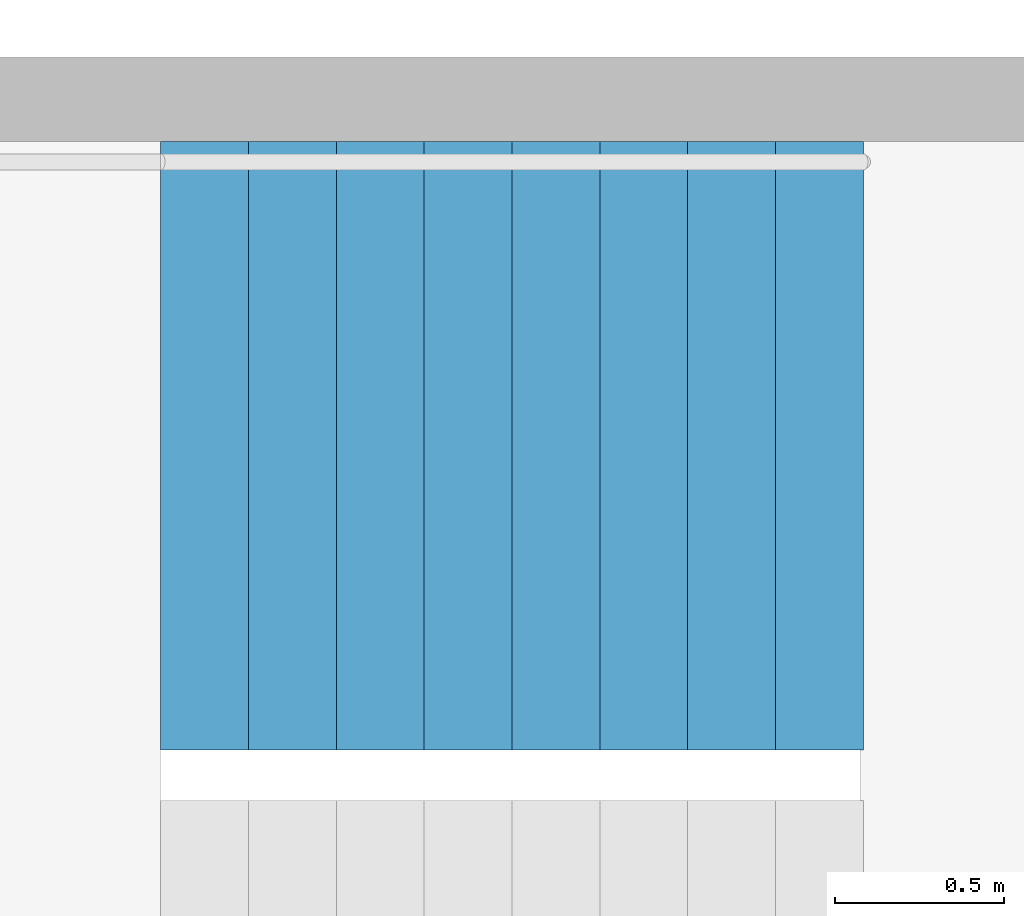
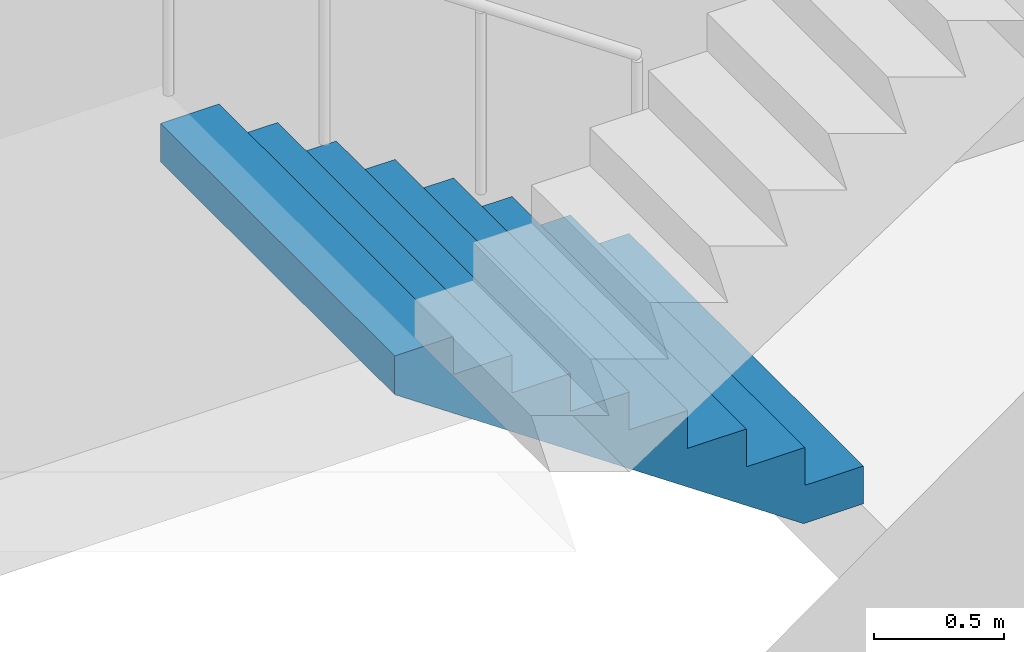
# One storey, part 19 of 26: 1 stair flight, 1 element without a shape of its own.
"""IFC4 building model written with IfcOpenShell, lengths in metres."""

from ifc_helpers import new_model, si_unit, direction, frame, origin, place, context, subcontext, project, spatial, triangles, material, type_object, element, aggregate, save


model = new_model("IFC4")

# Units and contexts
model_context = context("Model", 3, precision=1e-05, world=origin(), true_north=direction((0.0, 1.0)))
body_context = subcontext(model_context, "Body", "Model", "MODEL_VIEW")
ifc_project = project(units=[si_unit("LENGTHUNIT", "METRE"), si_unit("AREAUNIT", "SQUARE_METRE"), si_unit("VOLUMEUNIT", "CUBIC_METRE"), si_unit("PLANEANGLEUNIT", "RADIAN"), si_unit("MASSUNIT", "GRAM", prefix="KILO")], contexts=[model_context])

# Site, building, storey
site_placement = place(None, origin())
site = spatial("IfcSite", under=ifc_project, at=site_placement, CompositionType="ELEMENT")
building_placement = place(site_placement, origin())
building = spatial("IfcBuilding", under=site, at=building_placement, Name="Hakoniwa Tower and Hamabe Station Hall", CompositionType="ELEMENT")
storey_placement = place(building_placement, frame((0.0, 0.0, 156.60009765625)))
storey = spatial("IfcBuildingStorey", under=building, at=storey_placement, Name="L44", CompositionType="ELEMENT", Elevation=156.60009765625)

# Stair, stair flight
ifc_material_1 = material(Name="Concrete C40", Category="concrete")
stair_type = type_object("IfcStairType", Name="ESCAPE STAIR 1800", PredefinedType="HALF_TURN_STAIR", material=ifc_material_1)
stair_placement = place(storey_placement, origin())
stair = element("IfcStair", 1, at=stair_placement, inside=storey, type_object=stair_type, Name="Escape stair ST-2 L44", PredefinedType="HALF_TURN_STAIR")
ifc_material_2 = material(Name="Concrete C40", Category="concrete")
stair_flight_type = type_object("IfcStairFlightType", Name="STAIR FLIGHT 1800", PredefinedType="STRAIGHT", material=ifc_material_2)
stair_flight_placement = place(storey_placement, frame((-23.39990234375, -4.64990234375, 0.0), z_axis=(0.0, 0.0, 1.0), x_axis=(-1.0, 0.0, 0.0)))
stair_flight = element("IfcStairFlight", 2, at=stair_flight_placement, type_object=stair_flight_type, Name="ST-2 flight 1", NumberOfRisers=9, NumberOfTreads=8, PredefinedType="STRAIGHT", RiserHeight=0.177777778, TreadLength=0.26, context=body_context, shape_type="Tessellation", body=[
    triangles([(0.0, 0.89990234375, 0.0), (0.260009765625, 0.89990234375, 0.0), (0.265625, 0.89990234375, 0.0), (0.52001953125, 0.89990234375, 0.174072265625), (0.780029296875, 0.89990234375, 0.351806640625), (1.0400390625, 0.89990234375, 0.529541015625), (1.300048828125, 0.89990234375, 0.707275390625), (1.56005859375, 0.89990234375, 0.885009765625), (1.820068359375, 0.89990234375, 1.062744140625), (2.080078125, 0.89990234375, 1.24072265625), (2.080078125, 0.89990234375, 1.422119140625), (1.820068359375, 0.89990234375, 1.422119140625), (1.820068359375, 0.89990234375, 1.244384765625), (1.56005859375, 0.89990234375, 1.244384765625), (1.56005859375, 0.89990234375, 1.066650390625), (1.300048828125, 0.89990234375, 1.066650390625), (1.300048828125, 0.89990234375, 0.888916015625), (1.0400390625, 0.89990234375, 0.888916015625), (1.0400390625, 0.89990234375, 0.711181640625), (0.780029296875, 0.89990234375, 0.711181640625), (0.780029296875, 0.89990234375, 0.533447265625), (0.52001953125, 0.89990234375, 0.533447265625), (0.52001953125, 0.89990234375, 0.35546875), (0.265625, 0.89990234375, 0.35546875), (0.260009765625, 0.89990234375, 0.35546875), (0.260009765625, 0.89990234375, 0.177734375), (0.0, 0.89990234375, 0.177734375), (0.0, 0.06005859375, 0.0), (0.260009765625, 0.06005859375, 0.0), (0.265625, 0.06005859375, 0.0), (0.52001953125, 0.06005859375, 0.174072265625), (0.780029296875, 0.06005859375, 0.351806640625), (1.0400390625, 0.06005859375, 0.529541015625), (1.300048828125, 0.06005859375, 0.707275390625), (1.56005859375, 0.06005859375, 0.885009765625), (1.820068359375, 0.06005859375, 1.062744140625), (2.080078125, 0.06005859375, 1.24072265625), (2.080078125, 0.06005859375, 1.422119140625), (1.820068359375, 0.06005859375, 1.422119140625), (1.820068359375, 0.06005859375, 1.244384765625), (1.56005859375, 0.06005859375, 1.244384765625), (1.56005859375, 0.06005859375, 1.066650390625), (1.300048828125, 0.06005859375, 1.066650390625), (1.300048828125, 0.06005859375, 0.888916015625), (1.0400390625, 0.06005859375, 0.888916015625), (1.0400390625, 0.06005859375, 0.711181640625), (0.780029296875, 0.06005859375, 0.711181640625), (0.780029296875, 0.06005859375, 0.533447265625), (0.52001953125, 0.06005859375, 0.533447265625), (0.52001953125, 0.06005859375, 0.35546875), (0.265625, 0.06005859375, 0.35546875), (0.260009765625, 0.06005859375, 0.35546875), (0.260009765625, 0.06005859375, 0.177734375), (0.0, 0.06005859375, 0.177734375), (0.0, 0.04296875, 0.0), (0.260009765625, 0.04296875, 0.0), (0.265625, 0.04296875, 0.0), (0.52001953125, 0.04296875, 0.174072265625), (0.780029296875, 0.04296875, 0.351806640625), (1.0400390625, 0.04296875, 0.529541015625), (1.300048828125, 0.04296875, 0.707275390625), (1.56005859375, 0.04296875, 0.885009765625), (1.820068359375, 0.04296875, 1.062744140625), (2.080078125, 0.04296875, 1.24072265625), (2.080078125, 0.04296875, 1.422119140625), (1.820068359375, 0.04296875, 1.422119140625), (1.820068359375, 0.04296875, 1.244384765625), (1.56005859375, 0.04296875, 1.244384765625), (1.56005859375, 0.04296875, 1.066650390625), (1.300048828125, 0.04296875, 1.066650390625), (1.300048828125, 0.04296875, 0.888916015625), (1.0400390625, 0.04296875, 0.888916015625), (1.0400390625, 0.04296875, 0.711181640625), (0.780029296875, 0.04296875, 0.711181640625), (0.780029296875, 0.04296875, 0.533447265625), (0.52001953125, 0.04296875, 0.533447265625), (0.52001953125, 0.04296875, 0.35546875), (0.265625, 0.04296875, 0.35546875), (0.260009765625, 0.04296875, 0.35546875), (0.260009765625, 0.04296875, 0.177734375), (0.0, 0.04296875, 0.177734375), (0.0, 0.025634765625, 0.0), (0.260009765625, 0.025634765625, 0.0), (0.265625, 0.025634765625, 0.0), (0.52001953125, 0.025634765625, 0.174072265625), (0.780029296875, 0.025634765625, 0.351806640625), (1.0400390625, 0.025634765625, 0.529541015625), (1.300048828125, 0.025634765625, 0.707275390625), (1.56005859375, 0.025634765625, 0.885009765625), (1.820068359375, 0.025634765625, 1.062744140625), (2.080078125, 0.025634765625, 1.24072265625), (2.080078125, 0.025634765625, 1.422119140625), (1.820068359375, 0.025634765625, 1.422119140625), (1.820068359375, 0.025634765625, 1.244384765625), (1.56005859375, 0.025634765625, 1.244384765625), (1.56005859375, 0.025634765625, 1.066650390625), (1.300048828125, 0.025634765625, 1.066650390625), (1.300048828125, 0.025634765625, 0.888916015625), (1.0400390625, 0.025634765625, 0.888916015625), (1.0400390625, 0.025634765625, 0.711181640625), (0.780029296875, 0.025634765625, 0.711181640625), (0.780029296875, 0.025634765625, 0.533447265625), (0.52001953125, 0.025634765625, 0.533447265625), (0.52001953125, 0.025634765625, 0.35546875), (0.265625, 0.025634765625, 0.35546875), (0.260009765625, 0.025634765625, 0.35546875), (0.260009765625, 0.025634765625, 0.177734375), (0.0, 0.025634765625, 0.177734375), (0.0, 0.008544921875, 0.0), (0.260009765625, 0.008544921875, 0.0), (0.265625, 0.008544921875, 0.0), (0.52001953125, 0.008544921875, 0.174072265625), (0.780029296875, 0.008544921875, 0.351806640625), (1.0400390625, 0.008544921875, 0.529541015625), (1.300048828125, 0.008544921875, 0.707275390625), (1.56005859375, 0.008544921875, 0.885009765625), (1.820068359375, 0.008544921875, 1.062744140625), (2.080078125, 0.008544921875, 1.24072265625), (2.080078125, 0.008544921875, 1.422119140625), (1.820068359375, 0.008544921875, 1.422119140625), (1.820068359375, 0.008544921875, 1.244384765625), (1.56005859375, 0.008544921875, 1.244384765625), (1.56005859375, 0.008544921875, 1.066650390625), (1.300048828125, 0.008544921875, 1.066650390625), (1.300048828125, 0.008544921875, 0.888916015625), (1.0400390625, 0.008544921875, 0.888916015625), (1.0400390625, 0.008544921875, 0.711181640625), (0.780029296875, 0.008544921875, 0.711181640625), (0.780029296875, 0.008544921875, 0.533447265625), (0.52001953125, 0.008544921875, 0.533447265625), (0.52001953125, 0.008544921875, 0.35546875), (0.265625, 0.008544921875, 0.35546875), (0.260009765625, 0.008544921875, 0.35546875), (0.260009765625, 0.008544921875, 0.177734375), (0.0, 0.008544921875, 0.177734375), (0.0, -0.008544921875, 0.0), (0.260009765625, -0.008544921875, 0.0), (0.265625, -0.008544921875, 0.0), (0.52001953125, -0.008544921875, 0.174072265625), (0.780029296875, -0.008544921875, 0.351806640625), (1.0400390625, -0.008544921875, 0.529541015625), (1.300048828125, -0.008544921875, 0.707275390625), (1.56005859375, -0.008544921875, 0.885009765625), (1.820068359375, -0.008544921875, 1.062744140625), (2.080078125, -0.008544921875, 1.24072265625), (2.080078125, -0.008544921875, 1.422119140625), (1.820068359375, -0.008544921875, 1.422119140625), (1.820068359375, -0.008544921875, 1.244384765625), (1.56005859375, -0.008544921875, 1.244384765625), (1.56005859375, -0.008544921875, 1.066650390625), (1.300048828125, -0.008544921875, 1.066650390625), (1.300048828125, -0.008544921875, 0.888916015625), (1.0400390625, -0.008544921875, 0.888916015625), (1.0400390625, -0.008544921875, 0.711181640625), (0.780029296875, -0.008544921875, 0.711181640625), (0.780029296875, -0.008544921875, 0.533447265625), (0.52001953125, -0.008544921875, 0.533447265625), (0.52001953125, -0.008544921875, 0.35546875), (0.265625, -0.008544921875, 0.35546875), (0.260009765625, -0.008544921875, 0.35546875), (0.260009765625, -0.008544921875, 0.177734375), (0.0, -0.008544921875, 0.177734375), (0.0, -0.025634765625, 0.0), (0.260009765625, -0.025634765625, 0.0), (0.265625, -0.025634765625, 0.0), (0.52001953125, -0.025634765625, 0.174072265625), (0.780029296875, -0.025634765625, 0.351806640625), (1.0400390625, -0.025634765625, 0.529541015625), (1.300048828125, -0.025634765625, 0.707275390625), (1.56005859375, -0.025634765625, 0.885009765625), (1.820068359375, -0.025634765625, 1.062744140625), (2.080078125, -0.025634765625, 1.24072265625), (2.080078125, -0.025634765625, 1.422119140625), (1.820068359375, -0.025634765625, 1.422119140625), (1.820068359375, -0.025634765625, 1.244384765625), (1.56005859375, -0.025634765625, 1.244384765625), (1.56005859375, -0.025634765625, 1.066650390625), (1.300048828125, -0.025634765625, 1.066650390625), (1.300048828125, -0.025634765625, 0.888916015625), (1.0400390625, -0.025634765625, 0.888916015625), (1.0400390625, -0.025634765625, 0.711181640625), (0.780029296875, -0.025634765625, 0.711181640625), (0.780029296875, -0.025634765625, 0.533447265625), (0.52001953125, -0.025634765625, 0.533447265625), (0.52001953125, -0.025634765625, 0.35546875), (0.265625, -0.025634765625, 0.35546875), (0.260009765625, -0.025634765625, 0.35546875), (0.260009765625, -0.025634765625, 0.177734375), (0.0, -0.025634765625, 0.177734375), (0.0, -0.04296875, 0.0), (0.260009765625, -0.04296875, 0.0), (0.265625, -0.04296875, 0.0), (0.52001953125, -0.04296875, 0.174072265625), (0.780029296875, -0.04296875, 0.351806640625), (1.0400390625, -0.04296875, 0.529541015625), (1.300048828125, -0.04296875, 0.707275390625), (1.56005859375, -0.04296875, 0.885009765625), (1.820068359375, -0.04296875, 1.062744140625), (2.080078125, -0.04296875, 1.24072265625), (2.080078125, -0.04296875, 1.422119140625), (1.820068359375, -0.04296875, 1.422119140625), (1.820068359375, -0.04296875, 1.244384765625), (1.56005859375, -0.04296875, 1.244384765625), (1.56005859375, -0.04296875, 1.066650390625), (1.300048828125, -0.04296875, 1.066650390625), (1.300048828125, -0.04296875, 0.888916015625), (1.0400390625, -0.04296875, 0.888916015625), (1.0400390625, -0.04296875, 0.711181640625), (0.780029296875, -0.04296875, 0.711181640625), (0.780029296875, -0.04296875, 0.533447265625), (0.52001953125, -0.04296875, 0.533447265625), (0.52001953125, -0.04296875, 0.35546875), (0.265625, -0.04296875, 0.35546875), (0.260009765625, -0.04296875, 0.35546875), (0.260009765625, -0.04296875, 0.177734375), (0.0, -0.04296875, 0.177734375), (0.0, -0.06005859375, 0.0), (0.260009765625, -0.06005859375, 0.0), (0.265625, -0.06005859375, 0.0), (0.52001953125, -0.06005859375, 0.174072265625), (0.780029296875, -0.06005859375, 0.351806640625), (1.0400390625, -0.06005859375, 0.529541015625), (1.300048828125, -0.06005859375, 0.707275390625), (1.56005859375, -0.06005859375, 0.885009765625), (1.820068359375, -0.06005859375, 1.062744140625), (2.080078125, -0.06005859375, 1.24072265625), (2.080078125, -0.06005859375, 1.422119140625), (1.820068359375, -0.06005859375, 1.422119140625), (1.820068359375, -0.06005859375, 1.244384765625), (1.56005859375, -0.06005859375, 1.244384765625), (1.56005859375, -0.06005859375, 1.066650390625), (1.300048828125, -0.06005859375, 1.066650390625), (1.300048828125, -0.06005859375, 0.888916015625), (1.0400390625, -0.06005859375, 0.888916015625), (1.0400390625, -0.06005859375, 0.711181640625), (0.780029296875, -0.06005859375, 0.711181640625), (0.780029296875, -0.06005859375, 0.533447265625), (0.52001953125, -0.06005859375, 0.533447265625), (0.52001953125, -0.06005859375, 0.35546875), (0.265625, -0.06005859375, 0.35546875), (0.260009765625, -0.06005859375, 0.35546875), (0.260009765625, -0.06005859375, 0.177734375), (0.0, -0.06005859375, 0.177734375), (0.0, -0.89990234375, 0.0), (0.260009765625, -0.89990234375, 0.0), (0.265625, -0.89990234375, 0.0), (0.52001953125, -0.89990234375, 0.174072265625), (0.780029296875, -0.89990234375, 0.351806640625), (1.0400390625, -0.89990234375, 0.529541015625), (1.300048828125, -0.89990234375, 0.707275390625), (1.56005859375, -0.89990234375, 0.885009765625), (1.820068359375, -0.89990234375, 1.062744140625), (2.080078125, -0.89990234375, 1.24072265625), (2.080078125, -0.89990234375, 1.422119140625), (1.820068359375, -0.89990234375, 1.422119140625), (1.820068359375, -0.89990234375, 1.244384765625), (1.56005859375, -0.89990234375, 1.244384765625), (1.56005859375, -0.89990234375, 1.066650390625), (1.300048828125, -0.89990234375, 1.066650390625), (1.300048828125, -0.89990234375, 0.888916015625), (1.0400390625, -0.89990234375, 0.888916015625), (1.0400390625, -0.89990234375, 0.711181640625), (0.780029296875, -0.89990234375, 0.711181640625), (0.780029296875, -0.89990234375, 0.533447265625), (0.52001953125, -0.89990234375, 0.533447265625), (0.52001953125, -0.89990234375, 0.35546875), (0.265625, -0.89990234375, 0.35546875), (0.260009765625, -0.89990234375, 0.35546875), (0.260009765625, -0.89990234375, 0.177734375), (0.0, -0.89990234375, 0.177734375)], [[2, 27, 26], [245, 269, 270], [2, 1, 27], [245, 270, 244], [3, 25, 24], [246, 267, 268], [3, 26, 25], [246, 268, 269], [3, 2, 26], [246, 269, 245], [4, 24, 23], [247, 266, 267], [4, 3, 24], [247, 267, 246], [5, 22, 21], [248, 264, 265], [5, 23, 22], [248, 265, 266], [5, 4, 23], [248, 266, 247], [6, 20, 19], [249, 262, 263], [6, 21, 20], [249, 263, 264], [6, 5, 21], [249, 264, 248], [7, 18, 17], [250, 260, 261], [7, 19, 18], [250, 261, 262], [7, 6, 19], [250, 262, 249], [8, 16, 15], [251, 258, 259], [8, 17, 16], [251, 259, 260], [8, 7, 17], [251, 260, 250], [9, 14, 13], [252, 256, 257], [9, 15, 14], [252, 257, 258], [9, 8, 15], [252, 258, 251], [10, 12, 11], [253, 254, 255], [10, 13, 12], [253, 255, 256], [10, 9, 13], [253, 256, 252], [1, 2, 29], [1, 29, 28], [28, 29, 56], [28, 56, 55], [55, 56, 83], [55, 83, 82], [82, 83, 110], [82, 110, 109], [109, 110, 137], [109, 137, 136], [136, 137, 164], [136, 164, 163], [163, 164, 191], [163, 191, 190], [190, 191, 218], [190, 218, 217], [217, 218, 245], [217, 245, 244], [2, 3, 30], [2, 30, 29], [29, 30, 57], [29, 57, 56], [56, 57, 84], [56, 84, 83], [83, 84, 111], [83, 111, 110], [110, 111, 138], [110, 138, 137], [137, 138, 165], [137, 165, 164], [164, 165, 192], [164, 192, 191], [191, 192, 219], [191, 219, 218], [218, 219, 246], [218, 246, 245], [3, 4, 31], [3, 31, 30], [30, 31, 58], [30, 58, 57], [57, 58, 85], [57, 85, 84], [84, 85, 112], [84, 112, 111], [111, 112, 139], [111, 139, 138], [138, 139, 166], [138, 166, 165], [165, 166, 193], [165, 193, 192], [192, 193, 220], [192, 220, 219], [219, 220, 247], [219, 247, 246], [4, 5, 32], [4, 32, 31], [31, 32, 59], [31, 59, 58], [58, 59, 86], [58, 86, 85], [85, 86, 113], [85, 113, 112], [112, 113, 140], [112, 140, 139], [139, 140, 167], [139, 167, 166], [166, 167, 194], [166, 194, 193], [193, 194, 221], [193, 221, 220], [220, 221, 248], [220, 248, 247], [5, 6, 33], [5, 33, 32], [32, 33, 60], [32, 60, 59], [59, 60, 87], [59, 87, 86], [86, 87, 114], [86, 114, 113], [113, 114, 141], [113, 141, 140], [140, 141, 168], [140, 168, 167], [167, 168, 195], [167, 195, 194], [194, 195, 222], [194, 222, 221], [221, 222, 249], [221, 249, 248], [6, 7, 34], [6, 34, 33], [33, 34, 61], [33, 61, 60], [60, 61, 88], [60, 88, 87], [87, 88, 115], [87, 115, 114], [114, 115, 142], [114, 142, 141], [141, 142, 169], [141, 169, 168], [168, 169, 196], [168, 196, 195], [195, 196, 223], [195, 223, 222], [222, 223, 250], [222, 250, 249], [7, 8, 35], [7, 35, 34], [34, 35, 62], [34, 62, 61], [61, 62, 89], [61, 89, 88], [88, 89, 116], [88, 116, 115], [115, 116, 143], [115, 143, 142], [142, 143, 170], [142, 170, 169], [169, 170, 197], [169, 197, 196], [196, 197, 224], [196, 224, 223], [223, 224, 251], [223, 251, 250], [8, 9, 36], [8, 36, 35], [35, 36, 63], [35, 63, 62], [62, 63, 90], [62, 90, 89], [89, 90, 117], [89, 117, 116], [116, 117, 144], [116, 144, 143], [143, 144, 171], [143, 171, 170], [170, 171, 198], [170, 198, 197], [197, 198, 225], [197, 225, 224], [224, 225, 252], [224, 252, 251], [9, 10, 37], [9, 37, 36], [36, 37, 64], [36, 64, 63], [63, 64, 91], [63, 91, 90], [90, 91, 118], [90, 118, 117], [117, 118, 145], [117, 145, 144], [144, 145, 172], [144, 172, 171], [171, 172, 199], [171, 199, 198], [198, 199, 226], [198, 226, 225], [225, 226, 253], [225, 253, 252], [10, 11, 38], [10, 38, 37], [37, 38, 65], [37, 65, 64], [64, 65, 92], [64, 92, 91], [91, 92, 119], [91, 119, 118], [118, 119, 146], [118, 146, 145], [145, 146, 173], [145, 173, 172], [172, 173, 200], [172, 200, 199], [199, 200, 227], [199, 227, 226], [226, 227, 254], [226, 254, 253], [11, 12, 39], [11, 39, 38], [38, 39, 66], [38, 66, 65], [65, 66, 93], [65, 93, 92], [92, 93, 120], [92, 120, 119], [119, 120, 147], [119, 147, 146], [146, 147, 174], [146, 174, 173], [173, 174, 201], [173, 201, 200], [200, 201, 228], [200, 228, 227], [227, 228, 255], [227, 255, 254], [12, 13, 40], [12, 40, 39], [39, 40, 67], [39, 67, 66], [66, 67, 94], [66, 94, 93], [93, 94, 121], [93, 121, 120], [120, 121, 148], [120, 148, 147], [147, 148, 175], [147, 175, 174], [174, 175, 202], [174, 202, 201], [201, 202, 229], [201, 229, 228], [228, 229, 256], [228, 256, 255], [13, 14, 41], [13, 41, 40], [40, 41, 68], [40, 68, 67], [67, 68, 95], [67, 95, 94], [94, 95, 122], [94, 122, 121], [121, 122, 149], [121, 149, 148], [148, 149, 176], [148, 176, 175], [175, 176, 203], [175, 203, 202], [202, 203, 230], [202, 230, 229], [229, 230, 257], [229, 257, 256], [14, 15, 42], [14, 42, 41], [41, 42, 69], [41, 69, 68], [68, 69, 96], [68, 96, 95], [95, 96, 123], [95, 123, 122], [122, 123, 150], [122, 150, 149], [149, 150, 177], [149, 177, 176], [176, 177, 204], [176, 204, 203], [203, 204, 231], [203, 231, 230], [230, 231, 258], [230, 258, 257], [15, 16, 43], [15, 43, 42], [42, 43, 70], [42, 70, 69], [69, 70, 97], [69, 97, 96], [96, 97, 124], [96, 124, 123], [123, 124, 151], [123, 151, 150], [150, 151, 178], [150, 178, 177], [177, 178, 205], [177, 205, 204], [204, 205, 232], [204, 232, 231], [231, 232, 259], [231, 259, 258], [16, 17, 44], [16, 44, 43], [43, 44, 71], [43, 71, 70], [70, 71, 98], [70, 98, 97], [97, 98, 125], [97, 125, 124], [124, 125, 152], [124, 152, 151], [151, 152, 179], [151, 179, 178], [178, 179, 206], [178, 206, 205], [205, 206, 233], [205, 233, 232], [232, 233, 260], [232, 260, 259], [17, 18, 45], [17, 45, 44], [44, 45, 72], [44, 72, 71], [71, 72, 99], [71, 99, 98], [98, 99, 126], [98, 126, 125], [125, 126, 153], [125, 153, 152], [152, 153, 180], [152, 180, 179], [179, 180, 207], [179, 207, 206], [206, 207, 234], [206, 234, 233], [233, 234, 261], [233, 261, 260], [18, 19, 46], [18, 46, 45], [45, 46, 73], [45, 73, 72], [72, 73, 100], [72, 100, 99], [99, 100, 127], [99, 127, 126], [126, 127, 154], [126, 154, 153], [153, 154, 181], [153, 181, 180], [180, 181, 208], [180, 208, 207], [207, 208, 235], [207, 235, 234], [234, 235, 262], [234, 262, 261], [19, 20, 47], [19, 47, 46], [46, 47, 74], [46, 74, 73], [73, 74, 101], [73, 101, 100], [100, 101, 128], [100, 128, 127], [127, 128, 155], [127, 155, 154], [154, 155, 182], [154, 182, 181], [181, 182, 209], [181, 209, 208], [208, 209, 236], [208, 236, 235], [235, 236, 263], [235, 263, 262], [20, 21, 48], [20, 48, 47], [47, 48, 75], [47, 75, 74], [74, 75, 102], [74, 102, 101], [101, 102, 129], [101, 129, 128], [128, 129, 156], [128, 156, 155], [155, 156, 183], [155, 183, 182], [182, 183, 210], [182, 210, 209], [209, 210, 237], [209, 237, 236], [236, 237, 264], [236, 264, 263], [21, 22, 49], [21, 49, 48], [48, 49, 76], [48, 76, 75], [75, 76, 103], [75, 103, 102], [102, 103, 130], [102, 130, 129], [129, 130, 157], [129, 157, 156], [156, 157, 184], [156, 184, 183], [183, 184, 211], [183, 211, 210], [210, 211, 238], [210, 238, 237], [237, 238, 265], [237, 265, 264], [22, 23, 50], [22, 50, 49], [49, 50, 77], [49, 77, 76], [76, 77, 104], [76, 104, 103], [103, 104, 131], [103, 131, 130], [130, 131, 158], [130, 158, 157], [157, 158, 185], [157, 185, 184], [184, 185, 212], [184, 212, 211], [211, 212, 239], [211, 239, 238], [238, 239, 266], [238, 266, 265], [23, 24, 51], [23, 51, 50], [50, 51, 78], [50, 78, 77], [77, 78, 105], [77, 105, 104], [104, 105, 132], [104, 132, 131], [131, 132, 159], [131, 159, 158], [158, 159, 186], [158, 186, 185], [185, 186, 213], [185, 213, 212], [212, 213, 240], [212, 240, 239], [239, 240, 267], [239, 267, 266], [24, 25, 52], [24, 52, 51], [51, 52, 79], [51, 79, 78], [78, 79, 106], [78, 106, 105], [105, 106, 133], [105, 133, 132], [132, 133, 160], [132, 160, 159], [159, 160, 187], [159, 187, 186], [186, 187, 214], [186, 214, 213], [213, 214, 241], [213, 241, 240], [240, 241, 268], [240, 268, 267], [25, 26, 53], [25, 53, 52], [52, 53, 80], [52, 80, 79], [79, 80, 107], [79, 107, 106], [106, 107, 134], [106, 134, 133], [133, 134, 161], [133, 161, 160], [160, 161, 188], [160, 188, 187], [187, 188, 215], [187, 215, 214], [214, 215, 242], [214, 242, 241], [241, 242, 269], [241, 269, 268], [26, 27, 54], [26, 54, 53], [53, 54, 81], [53, 81, 80], [80, 81, 108], [80, 108, 107], [107, 108, 135], [107, 135, 134], [134, 135, 162], [134, 162, 161], [161, 162, 189], [161, 189, 188], [188, 189, 216], [188, 216, 215], [215, 216, 243], [215, 243, 242], [242, 243, 270], [242, 270, 269], [27, 1, 28], [27, 28, 54], [54, 28, 55], [54, 55, 81], [81, 55, 82], [81, 82, 108], [108, 82, 109], [108, 109, 135], [135, 109, 136], [135, 136, 162], [162, 136, 163], [162, 163, 189], [189, 163, 190], [189, 190, 216], [216, 190, 217], [216, 217, 243], [243, 217, 244], [243, 244, 270]], closed=True),
])
aggregate(stair, [stair_flight])

save(model, "model.ifc")
